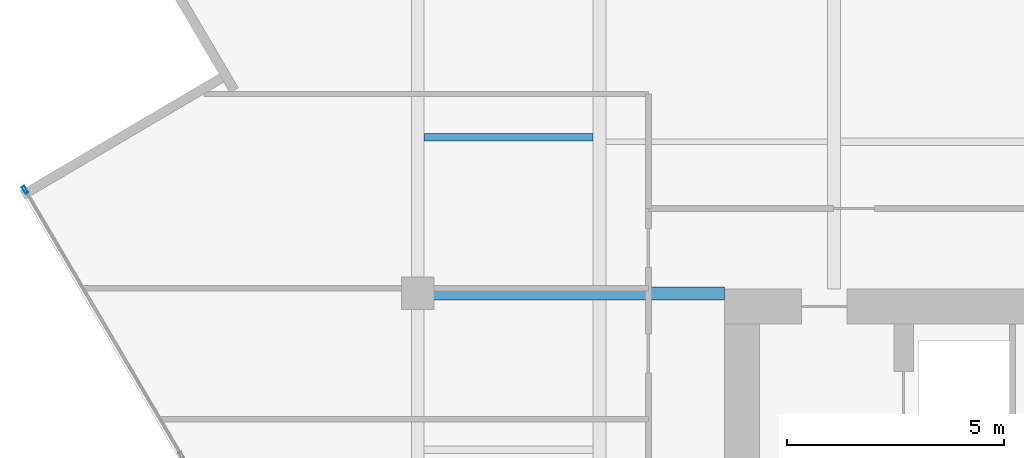
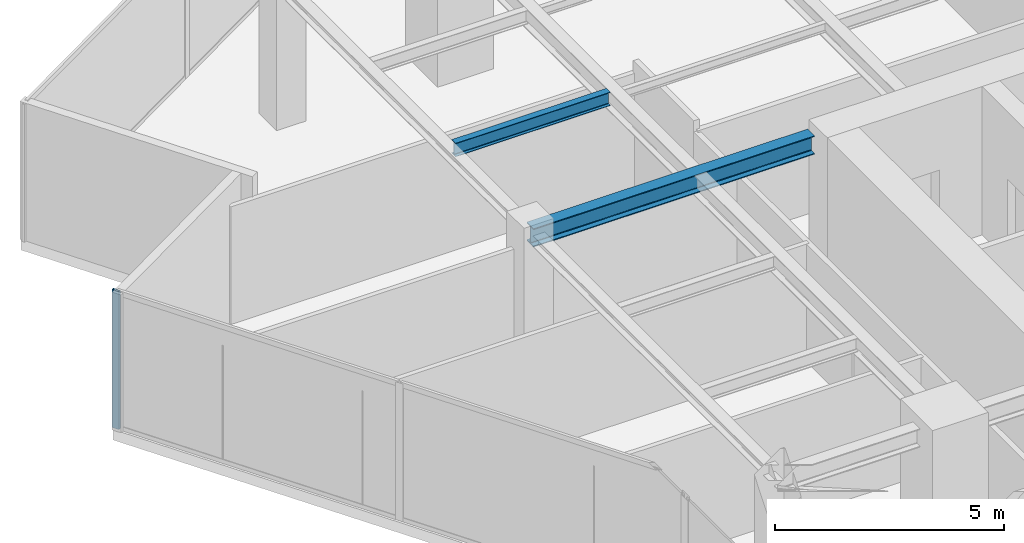
# One storey, part 6 of 20: 2 beams, 1 member, 1 element without a shape of its own.
"""IFC4 building model written with IfcOpenShell, lengths in metres."""

from ifc_helpers import new_model, si_unit, direction, frame, origin, origin_2d, place, context, subcontext, project, spatial, hollow_rectangle, i_section, extrude, source, transform, mapped, material, material_profile, profile_set, type_object, type_shapes, element, aggregate, save


model = new_model("IFC4")

# Units and contexts
model_context = context("Model", 3, precision=1e-05, world=origin(), true_north=direction((0.0, 1.0)))
body_context = subcontext(model_context, "Body", "Model", "MODEL_VIEW")
ifc_project = project(units=[si_unit("LENGTHUNIT", "METRE"), si_unit("AREAUNIT", "SQUARE_METRE"), si_unit("VOLUMEUNIT", "CUBIC_METRE"), si_unit("PLANEANGLEUNIT", "RADIAN"), si_unit("MASSUNIT", "GRAM", prefix="KILO")], contexts=[model_context])

# Site, building, storey
site_placement = place(None, origin())
site = spatial("IfcSite", under=ifc_project, at=site_placement, CompositionType="ELEMENT")
building_placement = place(site_placement, origin())
building = spatial("IfcBuilding", under=site, at=building_placement, Name="Krantzveldt Concourse Tower", CompositionType="ELEMENT")
storey_placement = place(building_placement, frame((0.0, 0.0, 299.0)))
storey = spatial("IfcBuildingStorey", under=building, at=storey_placement, Name="L73", CompositionType="ELEMENT", Elevation=299.0)

# Beams
ifc_material_1 = material(Name="Steel S355JR", Category="steel")
ifc_material_profile_1 = material_profile(ifc_material_1, i_section(OverallWidth=0.300048828125, OverallDepth=0.489990234375, WebThickness=0.011962890625, FlangeThickness=0.02294921875, FilletRadius=0.027099609375, at=origin_2d()), Name="Steel S355JR", Category="steel")
ifc_profile_set_1 = profile_set([ifc_material_profile_1], Name="Steel S355JR - HEA 500")
beam_type_1 = type_object("IfcBeamType", Name="BM-B-HEA500", PredefinedType="BEAM", material=ifc_profile_set_1)
shared_shape_1 = source(origin(), body_context, "Body", "SweptSolid", [
    extrude(i_section(OverallWidth=0.300048828125, OverallDepth=0.489990234375, WebThickness=0.011962890625, FlangeThickness=0.02294921875, FilletRadius=0.027099609375, at=origin_2d()), origin(), (0.0, 0.0, 1.0), 7.080078125),
])
type_shapes(beam_type_1, [shared_shape_1])
beam_1_placement = place(storey_placement, frame((21.0, 26.699951171875, 3.425048828125), z_axis=(1.0, 0.0, 0.0), x_axis=(0.0, 1.0, 0.0)))
element("IfcBeam", 1, at=beam_1_placement, inside=storey, type_object=beam_type_1, Name="L73 Tower Girder BG-CW2", PredefinedType="BEAM", context=body_context, shape_type="MappedRepresentation", body=[
    mapped(shared_shape_1, transform((0.0, 0.0, 0.0), x_axis=(1.0, 0.0, 0.0), y_axis=(0.0, 1.0, 0.0), z_axis=(0.0, 0.0, 1.0), scale=1.0)),
])
ifc_material_profile_2 = material_profile(ifc_material_1, i_section(OverallWidth=0.169921875, OverallDepth=0.360107421875, WebThickness=0.008056640625, FlangeThickness=0.0126953125, FilletRadius=0.01806640625, at=origin_2d()), Name="Steel S355JR", Category="steel")
ifc_profile_set_2 = profile_set([ifc_material_profile_2], Name="Steel S355JR - IPE 360")
beam_type_2 = type_object("IfcBeamType", Name="BM-J-IPE360", PredefinedType="JOIST", material=ifc_profile_set_2)
shared_shape_2 = source(origin(), body_context, "Body", "SweptSolid", [
    extrude(i_section(OverallWidth=0.169921875, OverallDepth=0.360107421875, WebThickness=0.008056640625, FlangeThickness=0.0126953125, FilletRadius=0.01806640625, at=origin_2d()), origin(), (0.0, 0.0, 1.0), 3.900146484375),
])
type_shapes(beam_type_2, [shared_shape_2])
beam_2_placement = place(storey_placement, frame((21.14990234375, 30.300048828125, 3.489990234375), z_axis=(1.0, 0.0, 0.0), x_axis=(0.0, 1.0, 0.0)))
element("IfcBeam", 2, at=beam_2_placement, inside=storey, type_object=beam_type_2, Name="L73 Secondary Floor Joist JW-3", PredefinedType="JOIST", context=body_context, shape_type="MappedRepresentation", body=[
    mapped(shared_shape_2, transform((0.0, 0.0, 0.0), x_axis=(1.0, 0.0, 0.0), y_axis=(0.0, 1.0, 0.0), z_axis=(0.0, 0.0, 1.0), scale=1.0)),
])

# Curtain wall, member
ifc_material_2 = material(Name="Anodised aluminium 6063-T6", Category="aluminium")
curtain_wall_type = type_object("IfcCurtainWallType", Name="CW4", PredefinedType="USERDEFINED", material=ifc_material_2)
curtain_wall_placement = place(storey_placement, origin())
curtain_wall = element("IfcCurtainWall", 3, at=curtain_wall_placement, inside=storey, type_object=curtain_wall_type, Name="CW-L73-F04", ObjectType="UNITISED CURTAIN WALL", PredefinedType="USERDEFINED")
ifc_material_profile_3 = material_profile(ifc_material_2, hollow_rectangle(XDim=0.070068359375, YDim=0.179931640625, WallThickness=0.0048828125, at=origin_2d()), Name="Anodised aluminium 6063-T6", Category="aluminium")
ifc_profile_set_3 = profile_set([ifc_material_profile_3], Name="Anodised aluminium 6063-T6 - ALU-MULL 180x70x5")
member_type = type_object("IfcMemberType", Name="CW-MUL-180", PredefinedType="MULLION", material=ifc_profile_set_3)
shared_shape_3 = source(origin(), body_context, "Body", "SweptSolid", [
    extrude(hollow_rectangle(XDim=0.070068359375, YDim=0.179931640625, WallThickness=0.0048828125, at=origin_2d()), origin(), (0.0, 0.0, 1.0), 3.669921875),
])
type_shapes(member_type, [shared_shape_3])
member_placement = place(storey_placement, frame((11.949462890625, 29.089111328125, 0.0), z_axis=(0.0, 0.0, 1.0), x_axis=(0.861629171479, 0.507538344223, 0.0)))
member = element("IfcMember", 4, at=member_placement, type_object=member_type, Name="CW-Z56 mullion 1", PredefinedType="MULLION", context=body_context, shape_type="MappedRepresentation", body=[
    mapped(shared_shape_3, transform((0.0, 0.0, 0.0), x_axis=(1.0, 0.0, 0.0), y_axis=(0.0, 1.0, 0.0), z_axis=(0.0, 0.0, 1.0), scale=1.0)),
])
aggregate(curtain_wall, [member])

save(model, "model.ifc")
